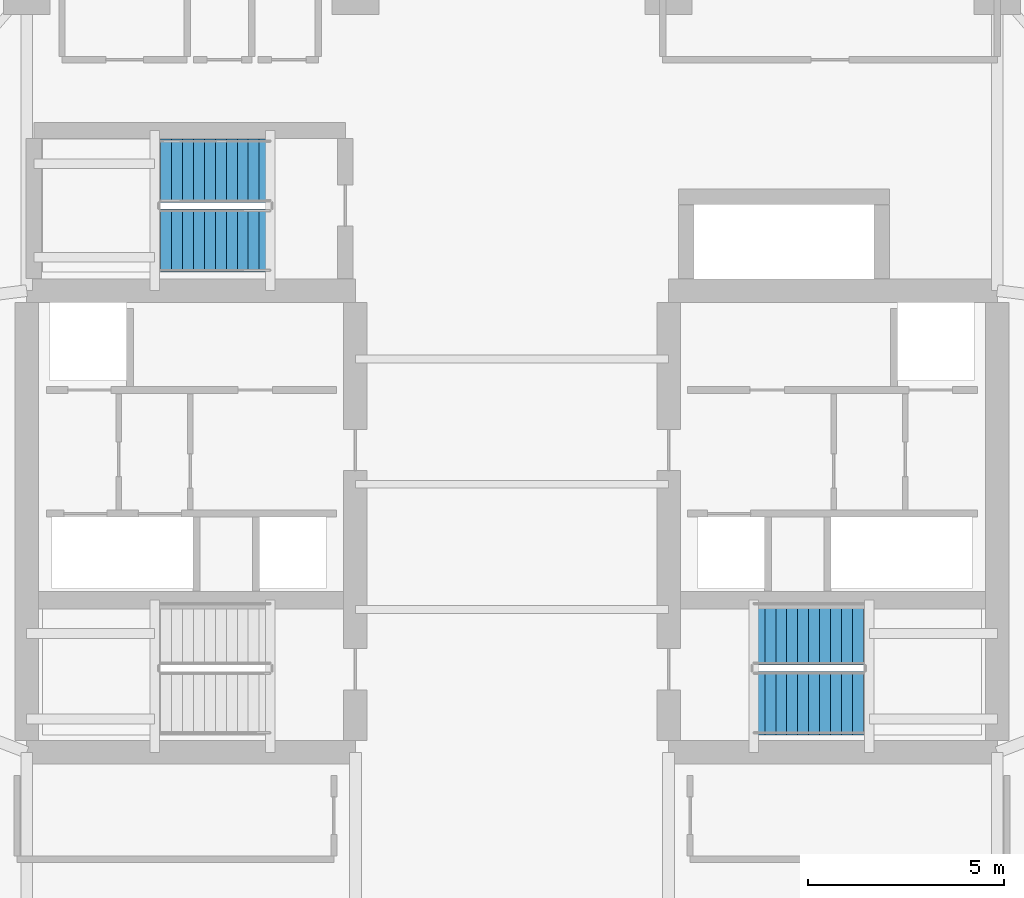
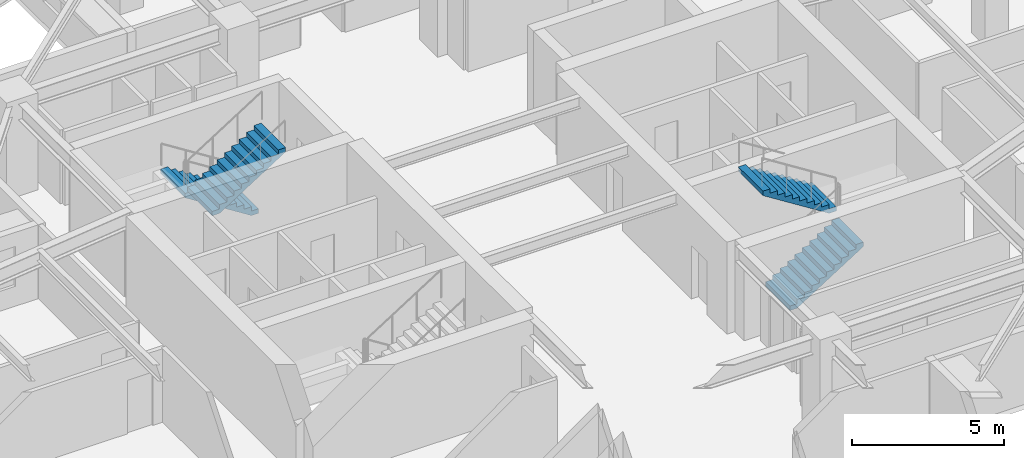
# One storey, part 8 of 13: 4 stair flights, 2 elements without a shape of their own.
"""IFC4 building model written with IfcOpenShell, lengths in metres."""

import ifcopenshell
import ifcopenshell.guid

model = None  # the IFC model being written
_history = None  # IfcOwnerHistory: only IFC2X3 demands one
_inside = {}  # id of a spatial element -> (the spatial element, [elements in it])
_under = {}  # id of a project, library or spatial element -> (it, [spatial elements below it])
_declared = {}  # id of a project -> (the project, [libraries it declares])
_typed = {}  # id of a type object -> (the type object, [elements of that type])
_made_of = {}  # id of a material, layer set ... -> (it, [elements and type objects made of it])


def new_model(schema):
    """Start an empty IFC model of exactly this schema.

    Asked for "IFC4X3", IfcOpenShell would pick the latest addendum, in which some entities
    have other attributes; the version numbers below select the first issue.
    IFC2X3 requires an IfcOwnerHistory on every rooted entity: one is made here for all.
    """
    global model, _history
    if schema == "IFC4X3":
        model = ifcopenshell.file(schema_version=(4, 3, 0, 0))
    else:
        model = ifcopenshell.file(schema=schema)
    _inside.clear()
    _under.clear()
    _declared.clear()
    _typed.clear()
    _made_of.clear()
    _history = None
    if model.schema == "IFC2X3":
        org = make("IfcOrganization", Name="unknown")
        user = make(
            "IfcPersonAndOrganization",
            ThePerson=make("IfcPerson", FamilyName="unknown"),
            TheOrganization=org,
        )
        app = make(
            "IfcApplication",
            ApplicationDeveloper=org,
            Version="unknown",
            ApplicationFullName="unknown",
            ApplicationIdentifier="unknown",
        )
        _history = make(
            "IfcOwnerHistory",
            OwningUser=user,
            OwningApplication=app,
            ChangeAction="ADDED",
            CreationDate=0,
        )
    return model


def make(cls, **values):
    """One entity of the class cls with the attributes given. An attribute that is None is left unset."""
    return model.create_entity(
        cls, **{name: value for name, value in values.items() if value is not None}
    )


def rooted(cls, **values):
    """An entity with a GlobalId (a new one), such as an element, a storey or a relation."""
    return make(cls, GlobalId=ifcopenshell.guid.new(), OwnerHistory=_history, **values)


def si_unit(unit_type, name, prefix=None):
    """IfcSIUnit, for example si_unit("LENGTHUNIT", "METRE", prefix="MILLI")."""
    return make("IfcSIUnit", UnitType=unit_type, Prefix=prefix, Name=name)


def assignment(units):
    """IfcUnitAssignment: the units of a project."""
    return None if units is None else make("IfcUnitAssignment", Units=units)


def point(xyz):
    """IfcCartesianPoint."""
    return None if xyz is None else make("IfcCartesianPoint", Coordinates=xyz)


def direction(xyz):
    """IfcDirection."""
    return None if xyz is None else make("IfcDirection", DirectionRatios=xyz)


def frame(location, z_axis=None, x_axis=None):
    """IfcAxis2Placement3D, a coordinate frame: its origin and axes. An axis left out is left unset."""
    return make(
        "IfcAxis2Placement3D",
        Location=point(location),
        Axis=direction(z_axis),
        RefDirection=direction(x_axis),
    )


def origin():
    """The frame at (0, 0, 0) with its axes left unset."""
    return frame((0.0, 0.0, 0.0))


def place(relative_to, where):
    """IfcLocalPlacement: puts the frame where relative to a parent placement (None: the world)."""
    return make(
        "IfcLocalPlacement", PlacementRelTo=relative_to, RelativePlacement=where
    )


def context(
    kind, dimensions, precision=None, world=None, true_north=None, identifier=None
):
    """IfcGeometricRepresentationContext, for example the 3D "Model" context."""
    return make(
        "IfcGeometricRepresentationContext",
        ContextIdentifier=identifier,
        ContextType=kind,
        CoordinateSpaceDimension=dimensions,
        Precision=precision,
        WorldCoordinateSystem=world,
        TrueNorth=true_north,
    )


def subcontext(parent, identifier, kind, view, scale=None):
    """IfcGeometricRepresentationSubContext, for example "Body" below "Model"."""
    return make(
        "IfcGeometricRepresentationSubContext",
        ContextIdentifier=identifier,
        ContextType=kind,
        ParentContext=parent,
        TargetScale=scale,
        TargetView=view,
    )


def project(units=None, contexts=None):
    """IfcProject with its units and contexts."""
    return rooted(
        "IfcProject",
        Name="project",
        RepresentationContexts=contexts,
        UnitsInContext=assignment(units),
    )


def spatial(cls, under=None, at=None, **own):
    """A site, building, storey or space (cls), placed at a placement, below another one or the project."""
    s = rooted(cls, ObjectPlacement=at, **own)
    if under is not None:
        _under.setdefault(under.id(), (under, []))[1].append(s)
    return s


def polyline(points):
    """IfcPolyline through the points."""
    return make("IfcPolyline", Points=[point(p) for p in points])


def outline(outer, holes=None, kind="AREA"):
    """IfcArbitraryClosedProfileDef: a profile drawn as a closed curve; with holes, ...WithVoids."""
    if holes is None:
        return make("IfcArbitraryClosedProfileDef", ProfileType=kind, OuterCurve=outer)
    return make(
        "IfcArbitraryProfileDefWithVoids",
        ProfileType=kind,
        OuterCurve=outer,
        InnerCurves=holes,
    )


def extrude(swept, where, along, depth):
    """IfcExtrudedAreaSolid: the profile swept, set in the frame where, extruded along a direction by depth."""
    return make(
        "IfcExtrudedAreaSolid",
        SweptArea=swept,
        Position=where,
        ExtrudedDirection=direction(along),
        Depth=depth,
    )


def shape(context_of_items, identifier, shape_type, items):
    """IfcShapeRepresentation: the items that make up one representation, for example the "Body"."""
    return make(
        "IfcShapeRepresentation",
        ContextOfItems=context_of_items,
        RepresentationIdentifier=identifier,
        RepresentationType=shape_type,
        Items=items,
    )


def material(Name=None, Category=None):
    """IfcMaterial."""
    return make("IfcMaterial", Name=Name, Category=Category)


def layer(
    of_material, thickness, ventilated=None, Name=None, Category=None, Priority=None
):
    """IfcMaterialLayer: one layer of a wall or slab, of a material (None: an air gap)."""
    return make(
        "IfcMaterialLayer",
        Material=of_material,
        LayerThickness=thickness,
        IsVentilated=ventilated,
        Name=Name,
        Category=Category,
        Priority=Priority,
    )


def layer_set(layers, Name=None):
    """IfcMaterialLayerSet."""
    return make("IfcMaterialLayerSet", MaterialLayers=layers, LayerSetName=Name)


def made_of(thing, what):
    """Note that an element or type object is made of a material, layer set ...; save() writes the relation."""
    if what is not None:
        _made_of.setdefault(what.id(), (what, []))[1].append(thing)
    return thing


def type_object(cls, material=None, **own):
    """A type object (cls), such as IfcWallType, which elements share."""
    return made_of(rooted(cls, **own), material)


def element(
    cls,
    number,
    at=None,
    inside=None,
    cuts=None,
    type_object=None,
    material=None,
    context=None,
    identifier="Body",
    shape_type=None,
    held_by="IfcProductDefinitionShape",
    body=None,
    shapes=None,
    **own,
):
    """One element of the class cls, such as IfcWall. Its Tag is "e" and its number.

    at: its placement. inside: the storey or other place that contains it. cuts: it is an
    opening in that element (IfcRelVoidsElement). A single representation is given by context,
    identifier, shape_type and body (its items); several are given by shapes. held_by: the class
    of the entity that holds the representations. save() writes the other relations.
    """
    e = rooted(cls, Tag="e%d" % number, ObjectPlacement=at, **own)
    if body is not None:
        shapes = [shape(context, identifier, shape_type, body)]
    if shapes is not None:
        e.Representation = make(held_by, Representations=shapes)
    if inside is not None:
        _inside.setdefault(inside.id(), (inside, []))[1].append(e)
    if cuts is not None:
        rooted(
            "IfcRelVoidsElement", RelatingBuildingElement=cuts, RelatedOpeningElement=e
        )
    if type_object is not None:
        _typed.setdefault(type_object.id(), (type_object, []))[1].append(e)
    return made_of(e, material)


def aggregate(whole, parts):
    """IfcRelAggregates: a whole, such as a stair, and the parts it consists of."""
    return rooted("IfcRelAggregates", RelatingObject=whole, RelatedObjects=parts)


def save(model, path):
    """Write the relations noted so far, then the file.

    IfcRelAggregates (storeys below a building ...), IfcRelContainedInSpatialStructure (elements
    in a storey), IfcRelDefinesByType, IfcRelAssociatesMaterial and IfcRelDeclares: one each for
    every whole, place, type object, material and project.
    """
    for whole, parts in _under.values():
        aggregate(whole, parts)
    for where, things in _inside.values():
        rooted(
            "IfcRelContainedInSpatialStructure",
            RelatedElements=things,
            RelatingStructure=where,
        )
    for kind, things in _typed.values():
        rooted("IfcRelDefinesByType", RelatedObjects=things, RelatingType=kind)
    for what, things in _made_of.values():
        rooted("IfcRelAssociatesMaterial", RelatedObjects=things, RelatingMaterial=what)
    for by, libraries in _declared.values():
        rooted("IfcRelDeclares", RelatingContext=by, RelatedDefinitions=libraries)
    model.write(path)


model = new_model("IFC4")

# Units and contexts
model_context = context("Model", 3, precision=1e-05, world=origin(), true_north=direction((0.0, 1.0)))
body_context = subcontext(model_context, "Body", "Model", "MODEL_VIEW")
ifc_project = project(units=[si_unit("LENGTHUNIT", "METRE"), si_unit("AREAUNIT", "SQUARE_METRE"), si_unit("VOLUMEUNIT", "CUBIC_METRE"), si_unit("PLANEANGLEUNIT", "RADIAN"), si_unit("MASSUNIT", "GRAM", prefix="KILO")], contexts=[model_context])

# Site, building, storey
site_placement = place(None, origin())
site = spatial("IfcSite", under=ifc_project, at=site_placement, CompositionType="ELEMENT")
building_placement = place(site_placement, origin())
building = spatial("IfcBuilding", under=site, at=building_placement, Name="Qingluan Cross Belvedere", CompositionType="ELEMENT")
storey_placement = place(building_placement, frame((0.0, 0.0, 183.89990234375)))
storey = spatial("IfcBuildingStorey", under=building, at=storey_placement, Name="L46", CompositionType="ELEMENT", Elevation=183.89990234375)

# Stair, stair flights
ifc_material_1 = material(Name="Concrete C40", Category="concrete")
stair_type = type_object("IfcStairType", Name="CoreDoglegStair_1620", PredefinedType="HALF_TURN_STAIR", material=ifc_material_1)
stair_1_placement = place(storey_placement, origin())
stair_1 = element("IfcStair", 1, at=stair_1_placement, inside=storey, type_object=stair_type, Name="L46 ST2", PredefinedType="HALF_TURN_STAIR")
ifc_material_2 = material(Name="Concrete C40", Category="concrete")
ifc_layer = layer(ifc_material_2, 0.179931640625, Name="StairFlight_RC180")
ifc_layer_set = layer_set([ifc_layer], Name="Concrete C40")
stair_flight_type = type_object("IfcStairFlightType", Name="StairFlight_RC180", PredefinedType="STRAIGHT", material=ifc_layer_set)
stair_flight_1_placement = place(storey_placement, frame((6.179931640625, -5.590087890625, 0.0), z_axis=(0.0, 0.0, 1.0), x_axis=(1.0, 0.0, 0.0)))
stair_flight_1 = element("IfcStairFlight", 2, at=stair_flight_1_placement, type_object=stair_flight_type, Name="ST2 flight 1", NumberOfRisers=11, NumberOfTreads=10, PredefinedType="STRAIGHT", RiserHeight=0.177272727, TreadLength=0.28, context=body_context, shape_type="SweptSolid", body=[
    extrude(outline(polyline([(0.0, 0.0), (0.0, 0.17724609375), (0.280029296875, 0.17724609375), (0.280029296875, 0.3544921875), (0.56005859375, 0.3544921875), (0.56005859375, 0.53173828125), (0.840087890625, 0.53173828125), (0.840087890625, 0.708984375), (1.1201171875, 0.708984375), (1.1201171875, 0.886474609375), (1.39990234375, 0.886474609375), (1.39990234375, 1.063720703125), (1.679931640625, 1.063720703125), (1.679931640625, 1.240966796875), (1.9599609375, 1.240966796875), (1.9599609375, 1.418212890625), (2.239990234375, 1.418212890625), (2.239990234375, 1.595458984375), (2.52001953125, 1.595458984375), (2.52001953125, 1.772705078125), (2.800048828125, 1.772705078125), (2.800048828125, 1.949951171875), (2.800048828125, 1.59521484375), (0.2802734375, 0.0), (0.0, 0.0)])), frame((0.0, 0.81005859375, 0.0), z_axis=(0.0, -1.0, 0.0), x_axis=(1.0, 0.0, 0.0)), (0.0, 0.0, 1.0), 1.6201171875),
])
stair_flight_2_placement = place(storey_placement, frame((8.97998046875, -3.81005859375, 1.9501953125), z_axis=(0.0, 0.0, 1.0), x_axis=(-1.0, 0.0, 0.0)))
stair_flight_2 = element("IfcStairFlight", 3, at=stair_flight_2_placement, type_object=stair_flight_type, Name="ST2 flight 2", NumberOfRisers=11, NumberOfTreads=10, PredefinedType="STRAIGHT", RiserHeight=0.177272727, TreadLength=0.28, context=body_context, shape_type="SweptSolid", body=[
    extrude(outline(polyline([(0.0, 0.0), (0.0, 0.17724609375), (0.280029296875, 0.17724609375), (0.280029296875, 0.3544921875), (0.56005859375, 0.3544921875), (0.56005859375, 0.53173828125), (0.840087890625, 0.53173828125), (0.840087890625, 0.708984375), (1.1201171875, 0.708984375), (1.1201171875, 0.886474609375), (1.39990234375, 0.886474609375), (1.39990234375, 1.063720703125), (1.679931640625, 1.063720703125), (1.679931640625, 1.240966796875), (1.9599609375, 1.240966796875), (1.9599609375, 1.418212890625), (2.239990234375, 1.418212890625), (2.239990234375, 1.595458984375), (2.52001953125, 1.595458984375), (2.52001953125, 1.772705078125), (2.800048828125, 1.772705078125), (2.800048828125, 1.949951171875), (2.800048828125, 1.59521484375), (0.2802734375, 0.0), (0.0, 0.0)])), frame((0.0, 0.81005859375, 0.0), z_axis=(0.0, -1.0, 0.0), x_axis=(1.0, 0.0, 0.0)), (0.0, 0.0, 1.0), 1.6201171875),
])
aggregate(stair_1, [stair_flight_1, stair_flight_2])

stair_2_placement = place(storey_placement, origin())
stair_2 = element("IfcStair", 4, at=stair_2_placement, inside=storey, type_object=stair_type, Name="L46 ST3", PredefinedType="HALF_TURN_STAIR")
stair_flight_3_placement = place(storey_placement, frame((-6.179931640625, 8.010009765625, 0.0), z_axis=(0.0, 0.0, 1.0), x_axis=(-1.0, 0.0, 0.0)))
stair_flight_3 = element("IfcStairFlight", 5, at=stair_flight_3_placement, type_object=stair_flight_type, Name="ST3 flight 1", NumberOfRisers=11, NumberOfTreads=10, PredefinedType="STRAIGHT", RiserHeight=0.177272727, TreadLength=0.28, context=body_context, shape_type="SweptSolid", body=[
    extrude(outline(polyline([(0.0, 0.0), (0.0, 0.17724609375), (0.280029296875, 0.17724609375), (0.280029296875, 0.3544921875), (0.56005859375, 0.3544921875), (0.56005859375, 0.53173828125), (0.840087890625, 0.53173828125), (0.840087890625, 0.708984375), (1.1201171875, 0.708984375), (1.1201171875, 0.886474609375), (1.39990234375, 0.886474609375), (1.39990234375, 1.063720703125), (1.679931640625, 1.063720703125), (1.679931640625, 1.240966796875), (1.9599609375, 1.240966796875), (1.9599609375, 1.418212890625), (2.239990234375, 1.418212890625), (2.239990234375, 1.595458984375), (2.52001953125, 1.595458984375), (2.52001953125, 1.772705078125), (2.800048828125, 1.772705078125), (2.800048828125, 1.949951171875), (2.800048828125, 1.59521484375), (0.2802734375, 0.0), (0.0, 0.0)])), frame((0.0, 0.81005859375, 0.0), z_axis=(0.0, -1.0, 0.0), x_axis=(1.0, 0.0, 0.0)), (0.0, 0.0, 1.0), 1.6201171875),
])
stair_flight_4_placement = place(storey_placement, frame((-8.97998046875, 6.22998046875, 1.9501953125), z_axis=(0.0, 0.0, 1.0), x_axis=(1.0, 0.0, 0.0)))
stair_flight_4 = element("IfcStairFlight", 6, at=stair_flight_4_placement, type_object=stair_flight_type, Name="ST3 flight 2", NumberOfRisers=11, NumberOfTreads=10, PredefinedType="STRAIGHT", RiserHeight=0.177272727, TreadLength=0.28, context=body_context, shape_type="SweptSolid", body=[
    extrude(outline(polyline([(0.0, 0.0), (0.0, 0.17724609375), (0.280029296875, 0.17724609375), (0.280029296875, 0.3544921875), (0.56005859375, 0.3544921875), (0.56005859375, 0.53173828125), (0.840087890625, 0.53173828125), (0.840087890625, 0.708984375), (1.1201171875, 0.708984375), (1.1201171875, 0.886474609375), (1.39990234375, 0.886474609375), (1.39990234375, 1.063720703125), (1.679931640625, 1.063720703125), (1.679931640625, 1.240966796875), (1.9599609375, 1.240966796875), (1.9599609375, 1.418212890625), (2.239990234375, 1.418212890625), (2.239990234375, 1.595458984375), (2.52001953125, 1.595458984375), (2.52001953125, 1.772705078125), (2.800048828125, 1.772705078125), (2.800048828125, 1.949951171875), (2.800048828125, 1.59521484375), (0.2802734375, 0.0), (0.0, 0.0)])), frame((0.0, 0.81005859375, 0.0), z_axis=(0.0, -1.0, 0.0), x_axis=(1.0, 0.0, 0.0)), (0.0, 0.0, 1.0), 1.6201171875),
])
aggregate(stair_2, [stair_flight_3, stair_flight_4])

save(model, "model.ifc")
